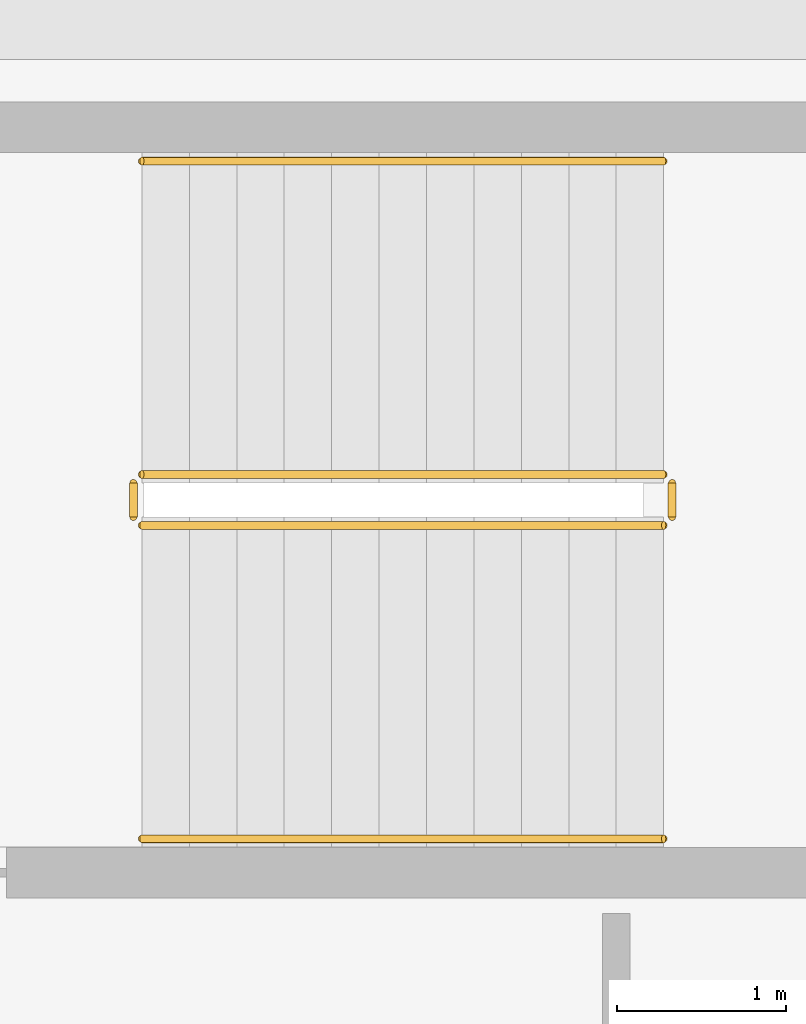
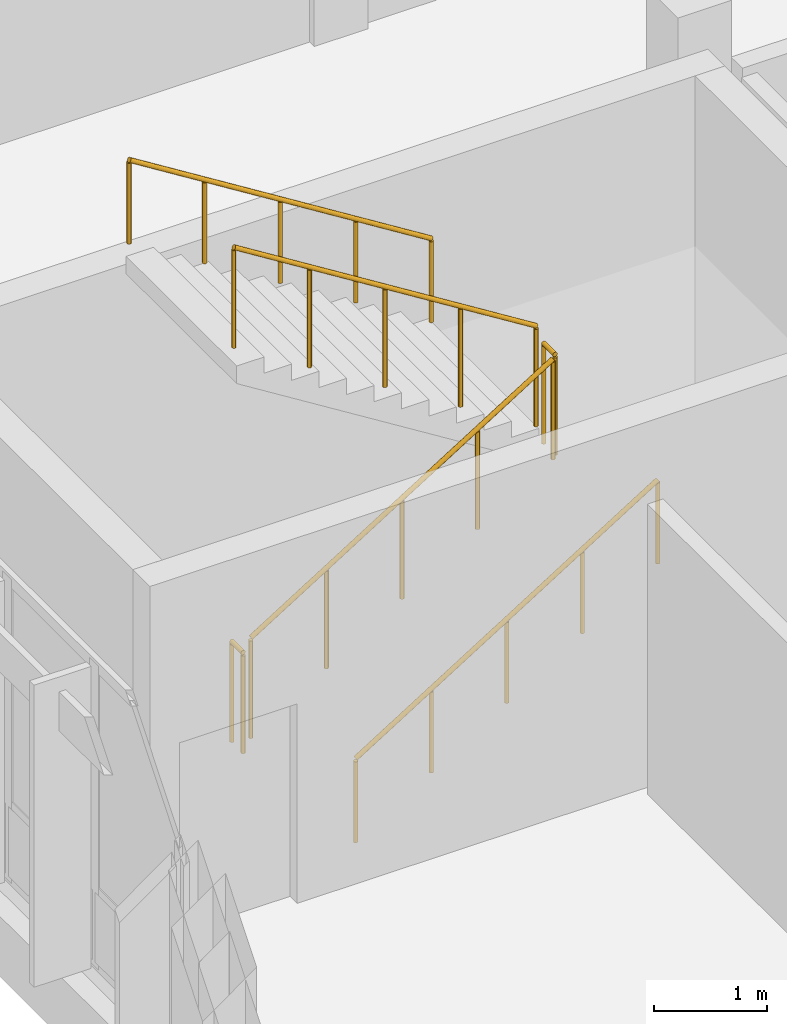
# One storey, part 93 of 94: 6 railings.
"""IFC4 building model written with IfcOpenShell, lengths in metres."""

from ifc_helpers import new_model, si_unit, direction, frame, origin, origin_2d, place, context, subcontext, project, spatial, circle, extrude, material, layer, layer_set, type_object, element, save


model = new_model("IFC4")

# Units and contexts
model_context = context("Model", 3, precision=1e-05, world=origin(), true_north=direction((0.0, 1.0)))
body_context = subcontext(model_context, "Body", "Model", "MODEL_VIEW")
ifc_project = project(units=[si_unit("LENGTHUNIT", "METRE"), si_unit("AREAUNIT", "SQUARE_METRE"), si_unit("VOLUMEUNIT", "CUBIC_METRE"), si_unit("PLANEANGLEUNIT", "RADIAN"), si_unit("MASSUNIT", "GRAM", prefix="KILO")], contexts=[model_context])

# Site, building, storey
site_placement = place(None, origin())
site = spatial("IfcSite", under=ifc_project, at=site_placement, CompositionType="ELEMENT")
building_placement = place(site_placement, origin())
building = spatial("IfcBuilding", under=site, at=building_placement, Name="Chiffa Square Polytechnic", CompositionType="ELEMENT")
storey_placement = place(building_placement, frame((0.0, 0.0, 18.0)))
storey = spatial("IfcBuildingStorey", under=building, at=storey_placement, Name="L04", CompositionType="ELEMENT", Elevation=18.0)

# Railings
ifc_material = material(Name="Steel S355", Category="steel")
ifc_layer_1 = layer(ifc_material, 0.050048828125, Name="Steel S355")
ifc_layer_set_1 = layer_set([ifc_layer_1], Name="Steel S355")
railing_type_1 = type_object("IfcRailingType", Name="RL-STAIR-GUARD", PredefinedType="GUARDRAIL", material=ifc_layer_set_1)
railing_1_placement = place(storey_placement, frame((151.0, 48.0, 0.175048828125)))
element("IfcRailing", 1, at=railing_1_placement, inside=storey, type_object=railing_type_1, Name="L04 ST-V1B stair guard 1", PredefinedType="GUARDRAIL", context=body_context, shape_type="SweptSolid", body=[
    extrude(circle(Radius=0.02392578125, at=origin_2d()), frame((0.0, 0.0, 1.076171875), z_axis=(0.847998304005, 0.0, 0.529998940003), x_axis=(0.0, 1.0, 0.0)), (0.0, 0.0, 1.0), 3.632080078125),
    extrude(circle(Radius=0.02099609375, at=origin_2d()), origin(), (0.0, 0.0, 1.0), 1.052001953125),
    extrude(circle(Radius=0.02099609375, at=origin_2d()), frame((0.77001953125, 0.0, 0.481201171875)), (0.0, 0.0, 1.0), 1.052001953125),
    extrude(circle(Radius=0.02099609375, at=origin_2d()), frame((1.5400390625, 0.0, 0.96240234375)), (0.0, 0.0, 1.0), 1.052001953125),
    extrude(circle(Radius=0.02099609375, at=origin_2d()), frame((2.31005859375, 0.0, 1.44384765625)), (0.0, 0.0, 1.0), 1.052001953125),
    extrude(circle(Radius=0.02099609375, at=origin_2d()), frame((3.080078125, 0.0, 1.925048828125)), (0.0, 0.0, 1.0), 1.052001953125),
])
railing_2_placement = place(storey_placement, frame((154.1298828125, 48.050048828125, 2.10009765625)))
element("IfcRailing", 2, at=railing_2_placement, inside=storey, type_object=railing_type_1, Name="L04 ST-V1B stair guard 2", PredefinedType="GUARDRAIL", context=body_context, shape_type="SweptSolid", body=[
    extrude(circle(Radius=0.02392578125, at=origin_2d()), frame((0.0, 0.0, 1.076171875), z_axis=(0.0, 1.0, 0.0), x_axis=(-1.0, 0.0, 0.0)), (0.0, 0.0, 1.0), 0.199951171875),
    extrude(circle(Radius=0.02099609375, at=origin_2d()), origin(), (0.0, 0.0, 1.0), 1.052001953125),
    extrude(circle(Radius=0.02099609375, at=origin_2d()), frame((0.0, 0.199951171875, 0.0)), (0.0, 0.0, 1.0), 1.052001953125),
])
railing_3_placement = place(storey_placement, frame((154.080078125, 48.300048828125, 2.27490234375)))
element("IfcRailing", 3, at=railing_3_placement, inside=storey, type_object=railing_type_1, Name="L04 ST-V1B stair guard 3", PredefinedType="GUARDRAIL", context=body_context, shape_type="SweptSolid", body=[
    extrude(circle(Radius=0.02392578125, at=origin_2d()), frame((0.0, 0.0, 1.076171875), z_axis=(-0.847998304005, 0.0, 0.529998940003), x_axis=(0.0, -1.0, 0.0)), (0.0, 0.0, 1.0), 3.632080078125),
    extrude(circle(Radius=0.02099609375, at=origin_2d()), origin(), (0.0, 0.0, 1.0), 1.052001953125),
    extrude(circle(Radius=0.02099609375, at=origin_2d()), frame((-0.77001953125, 0.0, 0.481201171875)), (0.0, 0.0, 1.0), 1.052001953125),
    extrude(circle(Radius=0.02099609375, at=origin_2d()), frame((-1.5400390625, 0.0, 0.96240234375)), (0.0, 0.0, 1.0), 1.052001953125),
    extrude(circle(Radius=0.02099609375, at=origin_2d()), frame((-2.31005859375, 0.0, 1.44384765625)), (0.0, 0.0, 1.0), 1.052001953125),
    extrude(circle(Radius=0.02099609375, at=origin_2d()), frame((-3.080078125, 0.0, 1.925048828125)), (0.0, 0.0, 1.0), 1.052001953125),
])
railing_4_placement = place(storey_placement, frame((150.949951171875, 48.050048828125, 0.0)))
element("IfcRailing", 4, at=railing_4_placement, inside=storey, type_object=railing_type_1, Name="L04 ST-V1B stair guard 4", PredefinedType="GUARDRAIL", context=body_context, shape_type="SweptSolid", body=[
    extrude(circle(Radius=0.02392578125, at=origin_2d()), frame((0.0, 0.0, 1.076171875), z_axis=(0.0, 1.0, 0.0), x_axis=(-1.0, 0.0, 0.0)), (0.0, 0.0, 1.0), 0.199951171875),
    extrude(circle(Radius=0.02099609375, at=origin_2d()), origin(), (0.0, 0.0, 1.0), 1.052001953125),
    extrude(circle(Radius=0.02099609375, at=origin_2d()), frame((0.0, 0.199951171875, 0.0)), (0.0, 0.0, 1.0), 1.052001953125),
])
ifc_layer_2 = layer(ifc_material, 0.044921875, Name="Steel S355")
ifc_layer_set_2 = layer_set([ifc_layer_2], Name="Steel S355")
railing_type_2 = type_object("IfcRailingType", Name="RL-STAIR-HAND", PredefinedType="HANDRAIL", material=ifc_layer_set_2)
railing_5_placement = place(storey_placement, frame((151.0, 46.14990234375, 0.175048828125)))
element("IfcRailing", 5, at=railing_5_placement, inside=storey, type_object=railing_type_2, Name="L04 ST-V1B stair handrail 1", PredefinedType="HANDRAIL", context=body_context, shape_type="SweptSolid", body=[
    extrude(circle(Radius=0.02392578125, at=origin_2d()), frame((0.0, 0.0, 0.89599609375), z_axis=(0.847998304005, 0.0, 0.529998940003), x_axis=(0.0, 1.0, 0.0)), (0.0, 0.0, 1.0), 3.632080078125),
    extrude(circle(Radius=0.02099609375, at=origin_2d()), origin(), (0.0, 0.0, 1.0), 0.871826171875),
    extrude(circle(Radius=0.02099609375, at=origin_2d()), frame((0.77001953125, 0.0, 0.481201171875)), (0.0, 0.0, 1.0), 0.871826171875),
    extrude(circle(Radius=0.02099609375, at=origin_2d()), frame((1.5400390625, 0.0, 0.96240234375)), (0.0, 0.0, 1.0), 0.871826171875),
    extrude(circle(Radius=0.02099609375, at=origin_2d()), frame((2.31005859375, 0.0, 1.44384765625)), (0.0, 0.0, 1.0), 0.871826171875),
    extrude(circle(Radius=0.02099609375, at=origin_2d()), frame((3.080078125, 0.0, 1.925048828125)), (0.0, 0.0, 1.0), 0.871826171875),
])
railing_6_placement = place(storey_placement, frame((154.080078125, 50.14990234375, 2.27490234375)))
element("IfcRailing", 6, at=railing_6_placement, inside=storey, type_object=railing_type_2, Name="L04 ST-V1B stair handrail 2", PredefinedType="HANDRAIL", context=body_context, shape_type="SweptSolid", body=[
    extrude(circle(Radius=0.02392578125, at=origin_2d()), frame((0.0, 0.0, 0.89599609375), z_axis=(-0.847998304005, 0.0, 0.529998940003), x_axis=(0.0, -1.0, 0.0)), (0.0, 0.0, 1.0), 3.632080078125),
    extrude(circle(Radius=0.02099609375, at=origin_2d()), origin(), (0.0, 0.0, 1.0), 0.871826171875),
    extrude(circle(Radius=0.02099609375, at=origin_2d()), frame((-0.77001953125, 0.0, 0.481201171875)), (0.0, 0.0, 1.0), 0.871826171875),
    extrude(circle(Radius=0.02099609375, at=origin_2d()), frame((-1.5400390625, 0.0, 0.96240234375)), (0.0, 0.0, 1.0), 0.871826171875),
    extrude(circle(Radius=0.02099609375, at=origin_2d()), frame((-2.31005859375, 0.0, 1.44384765625)), (0.0, 0.0, 1.0), 0.871826171875),
    extrude(circle(Radius=0.02099609375, at=origin_2d()), frame((-3.080078125, 0.0, 1.925048828125)), (0.0, 0.0, 1.0), 0.871826171875),
])

save(model, "model.ifc")
